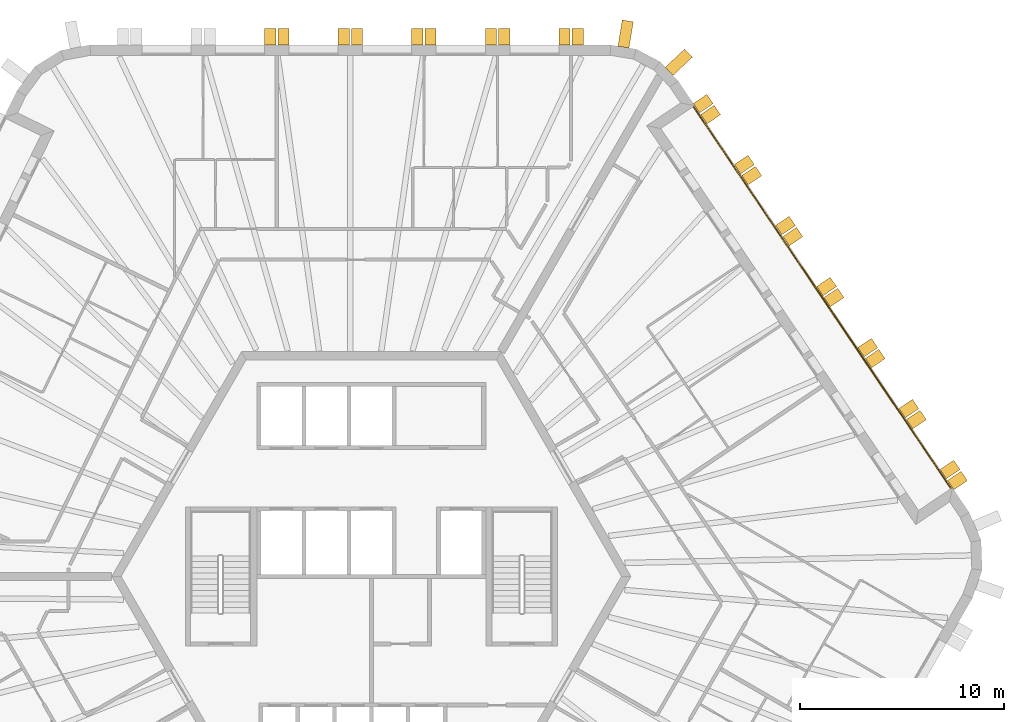
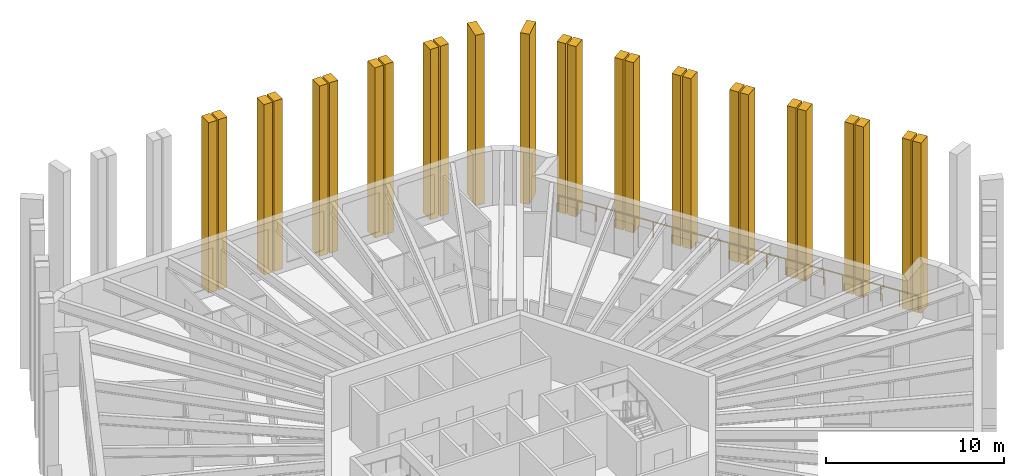
# One storey, part 13 of 13: 26 shading devices, 1 railing.
"""IFC4 building model written with IfcOpenShell, lengths in metres."""

from ifc_helpers import new_model, si_unit, direction, frame, origin, origin_2d, place, context, subcontext, project, spatial, polyline, circle, outline, extrude, material, layer, layer_set, type_object, element, save


model = new_model("IFC4")

# Units and contexts
model_context = context("Model", 3, precision=1e-05, world=origin(), true_north=direction((0.0, 1.0)))
body_context = subcontext(model_context, "Body", "Model", "MODEL_VIEW")
ifc_project = project(units=[si_unit("LENGTHUNIT", "METRE"), si_unit("AREAUNIT", "SQUARE_METRE"), si_unit("VOLUMEUNIT", "CUBIC_METRE"), si_unit("PLANEANGLEUNIT", "RADIAN"), si_unit("MASSUNIT", "GRAM", prefix="KILO")], contexts=[model_context])

# Site, building, storey
site_placement = place(None, origin())
site = spatial("IfcSite", under=ifc_project, at=site_placement, CompositionType="ELEMENT")
building_placement = place(site_placement, origin())
building = spatial("IfcBuilding", under=site, at=building_placement, Name="Tarnside Tower", CompositionType="ELEMENT")
storey_placement = place(building_placement, frame((0.0, 0.0, 267.89990234375)))
storey = spatial("IfcBuildingStorey", under=building, at=storey_placement, Name="L64", CompositionType="ELEMENT", Elevation=267.89990234375)

# Railing
ifc_material_1 = material(Name="Toughened glass", Category="glass")
railing_type = type_object("IfcRailingType", Name="Glass guard 1100", PredefinedType="GUARDRAIL", material=ifc_material_1)
railing_placement = place(storey_placement, frame((28.365234375, 4.299560546875, 0.0)))
element("IfcRailing", 1, at=railing_placement, inside=storey, type_object=railing_type, Name="Loggia guard L64 F6", PredefinedType="GUARDRAIL", context=body_context, shape_type="SweptSolid", body=[
    extrude(circle(Radius=0.030029296875, at=origin_2d()), frame((0.0, 0.0, 1.070068359375), z_axis=(-0.559195329741, 0.82903593601, 0.0), x_axis=(-0.82903593601, -0.559195329741, 0.0)), (0.0, 0.0, 1.0), 22.544677734375),
    extrude(circle(Radius=0.02490234375, at=origin_2d()), origin(), (0.0, 0.0, 1.0), 1.0400390625),
    extrude(circle(Radius=0.02490234375, at=origin_2d()), frame((-0.66357421875, 0.983642578125, 0.0)), (0.0, 0.0, 1.0), 1.0400390625),
    extrude(circle(Radius=0.02490234375, at=origin_2d()), frame((-1.3271484375, 1.967529296875, 0.0)), (0.0, 0.0, 1.0), 1.0400390625),
    extrude(circle(Radius=0.02490234375, at=origin_2d()), frame((-1.990478515625, 2.951171875, 0.0)), (0.0, 0.0, 1.0), 1.0400390625),
    extrude(circle(Radius=0.02490234375, at=origin_2d()), frame((-2.654052734375, 3.934814453125, 0.0)), (0.0, 0.0, 1.0), 1.0400390625),
    extrude(circle(Radius=0.02490234375, at=origin_2d()), frame((-3.317626953125, 4.91845703125, 0.0)), (0.0, 0.0, 1.0), 1.0400390625),
    extrude(circle(Radius=0.02490234375, at=origin_2d()), frame((-3.981201171875, 5.90234375, 0.0)), (0.0, 0.0, 1.0), 1.0400390625),
    extrude(circle(Radius=0.02490234375, at=origin_2d()), frame((-4.644775390625, 6.885986328125, 0.0)), (0.0, 0.0, 1.0), 1.0400390625),
    extrude(circle(Radius=0.02490234375, at=origin_2d()), frame((-5.30810546875, 7.86962890625, 0.0)), (0.0, 0.0, 1.0), 1.0400390625),
    extrude(circle(Radius=0.02490234375, at=origin_2d()), frame((-5.9716796875, 8.853271484375, 0.0)), (0.0, 0.0, 1.0), 1.0400390625),
    extrude(circle(Radius=0.02490234375, at=origin_2d()), frame((-6.63525390625, 9.837158203125, 0.0)), (0.0, 0.0, 1.0), 1.0400390625),
    extrude(circle(Radius=0.02490234375, at=origin_2d()), frame((-7.298828125, 10.82080078125, 0.0)), (0.0, 0.0, 1.0), 1.0400390625),
    extrude(circle(Radius=0.02490234375, at=origin_2d()), frame((-7.962158203125, 11.804443359375, 0.0)), (0.0, 0.0, 1.0), 1.0400390625),
    extrude(circle(Radius=0.02490234375, at=origin_2d()), frame((-8.625732421875, 12.7880859375, 0.0)), (0.0, 0.0, 1.0), 1.0400390625),
    extrude(circle(Radius=0.02490234375, at=origin_2d()), frame((-9.289306640625, 13.77197265625, 0.0)), (0.0, 0.0, 1.0), 1.0400390625),
    extrude(circle(Radius=0.02490234375, at=origin_2d()), frame((-9.952880859375, 14.755615234375, 0.0)), (0.0, 0.0, 1.0), 1.0400390625),
    extrude(circle(Radius=0.02490234375, at=origin_2d()), frame((-10.616455078125, 15.7392578125, 0.0)), (0.0, 0.0, 1.0), 1.0400390625),
    extrude(circle(Radius=0.02490234375, at=origin_2d()), frame((-11.27978515625, 16.722900390625, 0.0)), (0.0, 0.0, 1.0), 1.0400390625),
    extrude(circle(Radius=0.02490234375, at=origin_2d()), frame((-11.943359375, 17.706787109375, 0.0)), (0.0, 0.0, 1.0), 1.0400390625),
    extrude(circle(Radius=0.02490234375, at=origin_2d()), frame((-12.60693359375, 18.6904296875, 0.0)), (0.0, 0.0, 1.0), 1.0400390625),
])

# Shading devices
ifc_material_2 = material(Name="Concrete C50/60 white precast", Category="concrete")
ifc_layer_1 = layer(ifc_material_2, 0.550048828125)
ifc_layer_set_1 = layer_set([ifc_layer_1], Name="Precast fin 550 x 1300")
shading_device_type_1 = type_object("IfcShadingDeviceType", Name="Precast fin 550 x 1300", PredefinedType="USERDEFINED", material=ifc_layer_set_1)
for number, where, z_axis, x_axis, name in (
    (2, (14.571044921875, 24.7109375, -0.14990234375), (0.686241637865, -0.727373641577, 0.0), (0.727373641577, 0.686241637865, 0.0), "Precast fin"),
    (3, (12.33837890625, 25.89794921875, -0.14990234375), (0.986761532114, -0.1621779231, 0.0), (0.1621779231, 0.986761532114, 0.0), "Precast fin"),
):
    element("IfcShadingDevice", number, at=place(storey_placement, frame(where, z_axis=z_axis, x_axis=x_axis)), inside=storey, type_object=shading_device_type_1, Name=name, ObjectType="FIN", PredefinedType="USERDEFINED", context=body_context, shape_type="SweptSolid", body=[
        extrude(outline(polyline([(0.0, 0.0), (1.300048828125, 0.0), (1.300048828125, 11.699951171875), (0.0, 11.699951171875), (0.0, 0.0)])), frame((0.0, 0.0, -0.27490234375)), (0.0, 0.0, 1.0), 0.550048828125),
    ])
ifc_layer_2 = layer(ifc_material_2, 0.550048828125)
ifc_layer_set_2 = layer_set([ifc_layer_2], Name="Precast fin 550 x 800")
shading_device_type_2 = type_object("IfcShadingDeviceType", Name="Precast fin 550 x 800", PredefinedType="USERDEFINED", material=ifc_layer_set_2)
for number, where, z_axis, x_axis, name in (
    (4, (10.10009765625, 26.0, -0.14990234375), (1.0, 0.0, 0.0), (0.0, 1.0, 0.0), "Precast fin"),
    (5, (9.4501953125, 26.0, -0.14990234375), (1.0, 0.0, 0.0), (0.0, 1.0, 0.0), "Precast fin"),
    (6, (6.500244140625, 26.0, -0.14990234375), (1.0, 0.0, 0.0), (0.0, 1.0, 0.0), "Precast fin"),
    (7, (5.85009765625, 26.0, -0.14990234375), (1.0, 0.0, 0.0), (0.0, 1.0, 0.0), "Precast fin"),
    (8, (2.900146484375, 26.0, -0.14990234375), (1.0, 0.0, 0.0), (0.0, 1.0, 0.0), "Precast fin"),
    (9, (2.250244140625, 26.0, -0.14990234375), (1.0, 0.0, 0.0), (0.0, 1.0, 0.0), "Precast fin"),
    (10, (-0.69970703125, 26.0, -0.14990234375), (1.0, 0.0, 0.0), (0.0, 1.0, 0.0), "Precast fin"),
    (11, (-1.349853515625, 26.0, -0.14990234375), (1.0, 0.0, 0.0), (0.0, 1.0, 0.0), "Precast fin"),
    (12, (-4.2998046875, 26.0, -0.14990234375), (1.0, 0.0, 0.0), (0.0, 1.0, 0.0), "Precast fin"),
    (13, (-4.94970703125, 26.0, -0.14990234375), (1.0, 0.0, 0.0), (0.0, 1.0, 0.0), "Precast fin"),
    (14, (28.34912109375, 4.466552734375, -0.14990234375), (0.559192903471, -0.829037572555, 0.0), (0.829037572555, 0.559192903471, 0.0), "Precast fin"),
    (15, (27.985595703125, 5.00537109375, -0.14990234375), (0.559192903471, -0.829037572555, 0.0), (0.829037572555, 0.559192903471, 0.0), "Precast fin"),
    (16, (26.3359375, 7.450927734375, -0.14990234375), (0.559192903471, -0.829037572555, 0.0), (0.829037572555, 0.559192903471, 0.0), "Precast fin"),
    (17, (25.972412109375, 7.98974609375, -0.14990234375), (0.559192903471, -0.829037572555, 0.0), (0.829037572555, 0.559192903471, 0.0), "Precast fin"),
    (18, (24.32275390625, 10.435546875, -0.14990234375), (0.559192903471, -0.829037572555, 0.0), (0.829037572555, 0.559192903471, 0.0), "Precast fin"),
    (19, (23.95947265625, 10.974365234375, -0.14990234375), (0.559192903471, -0.829037572555, 0.0), (0.829037572555, 0.559192903471, 0.0), "Precast fin"),
    (20, (22.309814453125, 13.419921875, -0.14990234375), (0.559192903471, -0.829037572555, 0.0), (0.829037572555, 0.559192903471, 0.0), "Precast fin"),
    (21, (21.9462890625, 13.958984375, -0.14990234375), (0.559192903471, -0.829037572555, 0.0), (0.829037572555, 0.559192903471, 0.0), "Precast fin"),
    (22, (20.296630859375, 16.404541015625, -0.14990234375), (0.559192903471, -0.829037572555, 0.0), (0.829037572555, 0.559192903471, 0.0), "Precast fin"),
    (23, (19.93310546875, 16.943359375, -0.14990234375), (0.559192903471, -0.829037572555, 0.0), (0.829037572555, 0.559192903471, 0.0), "Precast fin"),
    (24, (18.283447265625, 19.38916015625, -0.14990234375), (0.559192903471, -0.829037572555, 0.0), (0.829037572555, 0.559192903471, 0.0), "Precast fin"),
    (25, (17.920166015625, 19.927978515625, -0.14990234375), (0.559192903471, -0.829037572555, 0.0), (0.829037572555, 0.559192903471, 0.0), "Precast fin"),
    (26, (16.2705078125, 22.37353515625, -0.14990234375), (0.559192903471, -0.829037572555, 0.0), (0.829037572555, 0.559192903471, 0.0), "Precast fin"),
    (27, (15.906982421875, 22.91259765625, -0.14990234375), (0.559192903471, -0.829037572555, 0.0), (0.829037572555, 0.559192903471, 0.0), "Precast fin"),
):
    element("IfcShadingDevice", number, at=place(storey_placement, frame(where, z_axis=z_axis, x_axis=x_axis)), inside=storey, type_object=shading_device_type_2, Name=name, ObjectType="FIN", PredefinedType="USERDEFINED", context=body_context, shape_type="SweptSolid", body=[
        extrude(outline(polyline([(0.0, 0.0), (0.800048828125, 0.0), (0.800048828125, 11.699951171875), (0.0, 11.699951171875), (0.0, 0.0)])), frame((0.0, 0.0, -0.27490234375)), (0.0, 0.0, 1.0), 0.550048828125),
    ])

save(model, "model.ifc")
